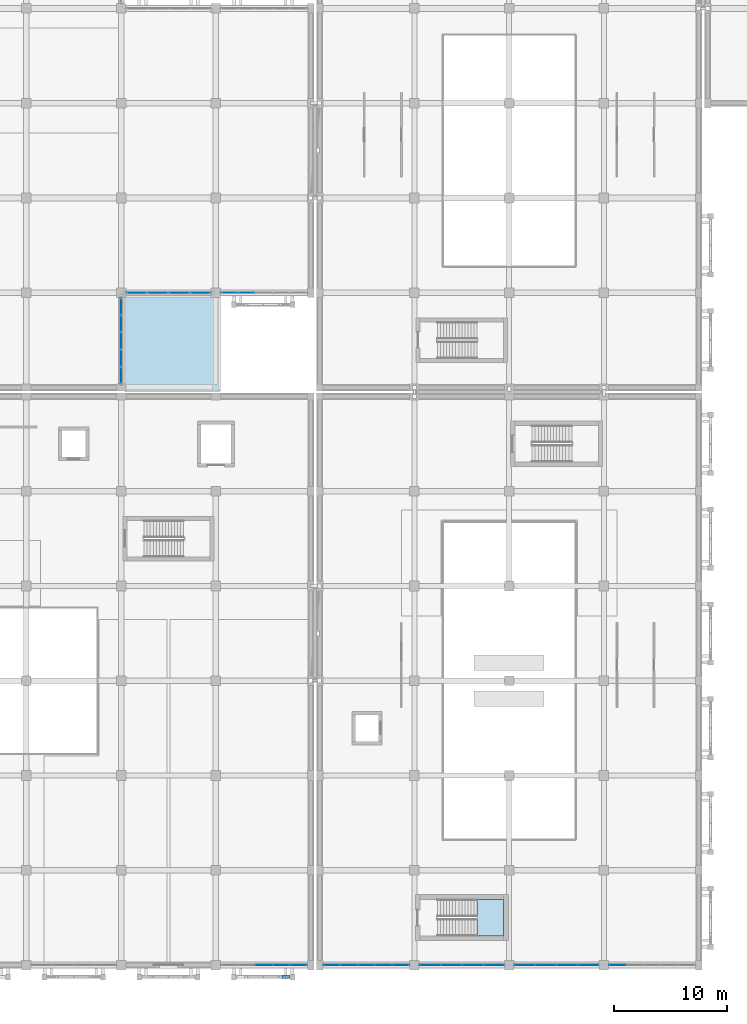
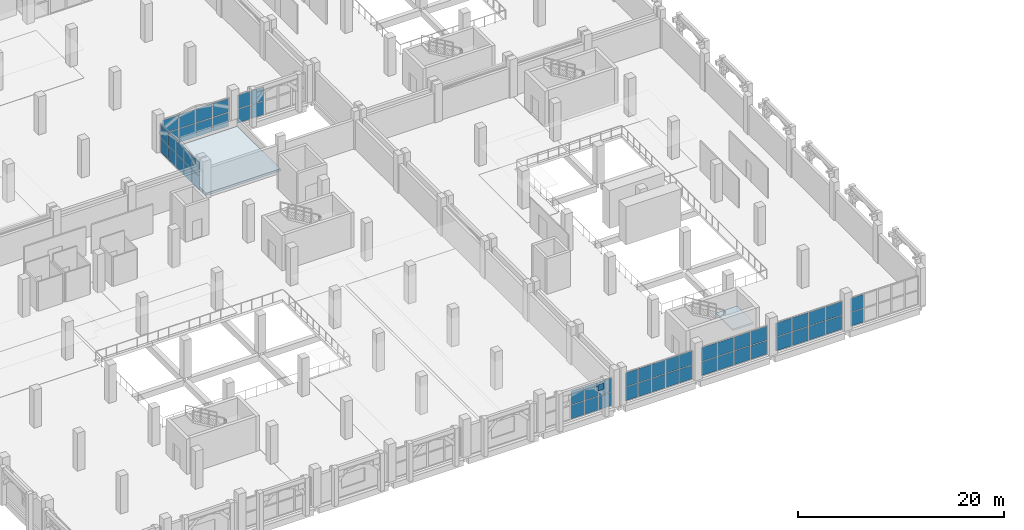
# One storey, part 92 of 137: 57 plates, 2 slabs, 9 elements without a shape of their own.
"""IFC4 building model written with IfcOpenShell, lengths in metres."""

from ifc_helpers import new_model, si_unit, direction, frame, origin, origin_2d, place, context, subcontext, project, spatial, polyline, rectangle, outline, extrude, material, layer, layer_set, type_object, element, aggregate, save


model = new_model("IFC4")

# Units and contexts
model_context = context("Model", 3, precision=1e-05, world=origin(), true_north=direction((0.0, 1.0)))
body_context = subcontext(model_context, "Body", "Model", "MODEL_VIEW")
ifc_project = project(units=[si_unit("LENGTHUNIT", "METRE"), si_unit("AREAUNIT", "SQUARE_METRE"), si_unit("VOLUMEUNIT", "CUBIC_METRE"), si_unit("PLANEANGLEUNIT", "RADIAN"), si_unit("MASSUNIT", "GRAM", prefix="KILO")], contexts=[model_context])

# Site, building, storey
site_placement = place(None, origin())
site = spatial("IfcSite", under=ifc_project, at=site_placement, CompositionType="ELEMENT")
building_placement = place(site_placement, origin())
building = spatial("IfcBuilding", under=site, at=building_placement, Name="Xazarin Passage Department Store", CompositionType="ELEMENT")
storey_placement = place(building_placement, frame((0.0, 0.0, 5.39990234375)))
storey = spatial("IfcBuildingStorey", under=building, at=storey_placement, Name="L01", CompositionType="ELEMENT", Elevation=5.39990234375)

# Curtain wall, plates
ifc_material_1 = material(Name="Bronze anodised aluminium", Category="aluminium")
ifc_layer_1 = layer(ifc_material_1, 0.159912109375)
ifc_layer_set_1 = layer_set([ifc_layer_1], Name="Bronze anodised aluminium")
curtain_wall_type_1 = type_object("IfcCurtainWallType", Name="ARC-CW-ARC1", PredefinedType="NOTDEFINED", material=ifc_layer_set_1)
curtain_wall_1_placement = place(storey_placement, origin())
curtain_wall_1 = element("IfcCurtainWall", 1, at=curtain_wall_1_placement, inside=storey, type_object=curtain_wall_type_1, Name="L01 V2S Curtain Wall 100", PredefinedType="NOTDEFINED")
ifc_material_2 = material(Name="Low-E laminated safety glass", Category="glass")
ifc_layer_2 = layer(ifc_material_2, 0.028076171875)
ifc_layer_set_2 = layer_set([ifc_layer_2], Name="Low-E laminated safety glass")
plate_type_1 = type_object("IfcPlateType", Name="ARC-CWP-GLZ28", PredefinedType="CURTAIN_PANEL", material=ifc_layer_set_2)
plate_1_placement = place(storey_placement, frame((69.083740234375, 0.0, 0.065185546875), z_axis=(0.0, 0.0, 1.0), x_axis=(1.0, 0.0, 0.0)))
plate_1 = element("IfcPlate", 2, at=plate_1_placement, type_object=plate_type_1, Name="CW3 panel 1.1", PredefinedType="CURTAIN_PANEL", context=body_context, shape_type="SweptSolid", body=[
    extrude(rectangle(XDim=1.4375, YDim=0.028076171875, at=origin_2d()), origin(), (0.0, 0.0, 1.0), 1.62744140625),
])
plate_2_placement = place(storey_placement, frame((69.083740234375, 0.0, 1.757568359375), z_axis=(0.0, 0.0, 1.0), x_axis=(1.0, 0.0, 0.0)))
plate_2 = element("IfcPlate", 3, at=plate_2_placement, type_object=plate_type_1, Name="CW3 panel 1.2", PredefinedType="CURTAIN_PANEL", context=body_context, shape_type="SweptSolid", body=[
    extrude(rectangle(XDim=1.4375, YDim=0.028076171875, at=origin_2d()), origin(), (0.0, 0.0, 1.0), 1.62744140625),
])
plate_3_placement = place(storey_placement, frame((70.6025390625, 0.0, 0.065185546875), z_axis=(0.0, 0.0, 1.0), x_axis=(1.0, 0.0, 0.0)))
plate_3 = element("IfcPlate", 4, at=plate_3_placement, type_object=plate_type_1, Name="CW3 panel 2.1", PredefinedType="CURTAIN_PANEL", context=body_context, shape_type="SweptSolid", body=[
    extrude(rectangle(XDim=1.469970703125, YDim=0.028076171875, at=origin_2d()), origin(), (0.0, 0.0, 1.0), 1.62744140625),
])
plate_4_placement = place(storey_placement, frame((70.6025390625, 0.0, 1.757568359375), z_axis=(0.0, 0.0, 1.0), x_axis=(1.0, 0.0, 0.0)))
plate_4 = element("IfcPlate", 5, at=plate_4_placement, type_object=plate_type_1, Name="CW3 panel 2.2", PredefinedType="CURTAIN_PANEL", context=body_context, shape_type="SweptSolid", body=[
    extrude(rectangle(XDim=1.469970703125, YDim=0.028076171875, at=origin_2d()), origin(), (0.0, 0.0, 1.0), 1.62744140625),
])
plate_5_placement = place(storey_placement, frame((72.137451171875, 0.0, 0.065185546875), z_axis=(0.0, 0.0, 1.0), x_axis=(1.0, 0.0, 0.0)))
plate_5 = element("IfcPlate", 6, at=plate_5_placement, type_object=plate_type_1, Name="CW3 panel 3.1", PredefinedType="CURTAIN_PANEL", context=body_context, shape_type="SweptSolid", body=[
    extrude(rectangle(XDim=1.469970703125, YDim=0.028076171875, at=origin_2d()), origin(), (0.0, 0.0, 1.0), 1.62744140625),
])
plate_6_placement = place(storey_placement, frame((72.137451171875, 0.0, 1.757568359375), z_axis=(0.0, 0.0, 1.0), x_axis=(1.0, 0.0, 0.0)))
plate_6 = element("IfcPlate", 7, at=plate_6_placement, type_object=plate_type_1, Name="CW3 panel 3.2", PredefinedType="CURTAIN_PANEL", context=body_context, shape_type="SweptSolid", body=[
    extrude(rectangle(XDim=1.469970703125, YDim=0.028076171875, at=origin_2d()), origin(), (0.0, 0.0, 1.0), 1.62744140625),
])
plate_7_placement = place(storey_placement, frame((73.672607421875, 0.0, 0.065185546875), z_axis=(0.0, 0.0, 1.0), x_axis=(1.0, 0.0, 0.0)))
plate_7 = element("IfcPlate", 8, at=plate_7_placement, type_object=plate_type_1, Name="CW3 panel 4.1", PredefinedType="CURTAIN_PANEL", context=body_context, shape_type="SweptSolid", body=[
    extrude(rectangle(XDim=1.469970703125, YDim=0.028076171875, at=origin_2d()), origin(), (0.0, 0.0, 1.0), 1.62744140625),
])
plate_8_placement = place(storey_placement, frame((73.672607421875, 0.0, 1.757568359375), z_axis=(0.0, 0.0, 1.0), x_axis=(1.0, 0.0, 0.0)))
plate_8 = element("IfcPlate", 9, at=plate_8_placement, type_object=plate_type_1, Name="CW3 panel 4.2", PredefinedType="CURTAIN_PANEL", context=body_context, shape_type="SweptSolid", body=[
    extrude(rectangle(XDim=1.469970703125, YDim=0.028076171875, at=origin_2d()), origin(), (0.0, 0.0, 1.0), 1.62744140625),
])
plate_9_placement = place(storey_placement, frame((75.191162109375, 0.0, 0.065185546875), z_axis=(0.0, 0.0, 1.0), x_axis=(1.0, 0.0, 0.0)))
plate_9 = element("IfcPlate", 10, at=plate_9_placement, type_object=plate_type_1, Name="CW3 panel 5.1", PredefinedType="CURTAIN_PANEL", context=body_context, shape_type="SweptSolid", body=[
    extrude(rectangle(XDim=1.4375, YDim=0.028076171875, at=origin_2d()), origin(), (0.0, 0.0, 1.0), 1.62744140625),
])
plate_10_placement = place(storey_placement, frame((75.191162109375, 0.0, 1.757568359375), z_axis=(0.0, 0.0, 1.0), x_axis=(1.0, 0.0, 0.0)))
plate_10 = element("IfcPlate", 11, at=plate_10_placement, type_object=plate_type_1, Name="CW3 panel 5.2", PredefinedType="CURTAIN_PANEL", context=body_context, shape_type="SweptSolid", body=[
    extrude(rectangle(XDim=1.4375, YDim=0.028076171875, at=origin_2d()), origin(), (0.0, 0.0, 1.0), 1.62744140625),
])
aggregate(curtain_wall_1, [plate_1, plate_2, plate_3, plate_4, plate_5, plate_6, plate_7, plate_8, plate_9, plate_10])

curtain_wall_2_placement = place(storey_placement, origin())
curtain_wall_2 = element("IfcCurtainWall", 12, at=curtain_wall_2_placement, inside=storey, type_object=curtain_wall_type_1, Name="L01 V2S Curtain Wall 101", PredefinedType="NOTDEFINED")
plate_11_placement = place(storey_placement, frame((77.784912109375, 0.0, 0.065185546875), z_axis=(0.0, 0.0, 1.0), x_axis=(1.0, 0.0, 0.0)))
plate_11 = element("IfcPlate", 13, at=plate_11_placement, type_object=plate_type_1, Name="CW3 panel 1.1", PredefinedType="CURTAIN_PANEL", context=body_context, shape_type="SweptSolid", body=[
    extrude(rectangle(XDim=1.7900390625, YDim=0.028076171875, at=origin_2d()), origin(), (0.0, 0.0, 1.0), 1.62744140625),
])
plate_12_placement = place(storey_placement, frame((77.784912109375, 0.0, 1.757568359375), z_axis=(0.0, 0.0, 1.0), x_axis=(1.0, 0.0, 0.0)))
plate_12 = element("IfcPlate", 14, at=plate_12_placement, type_object=plate_type_1, Name="CW3 panel 1.2", PredefinedType="CURTAIN_PANEL", context=body_context, shape_type="SweptSolid", body=[
    extrude(rectangle(XDim=1.7900390625, YDim=0.028076171875, at=origin_2d()), origin(), (0.0, 0.0, 1.0), 1.62744140625),
])
plate_13_placement = place(storey_placement, frame((79.65625, 0.0, 0.065185546875), z_axis=(0.0, 0.0, 1.0), x_axis=(1.0, 0.0, 0.0)))
plate_13 = element("IfcPlate", 15, at=plate_13_placement, type_object=plate_type_1, Name="CW3 panel 2.1", PredefinedType="CURTAIN_PANEL", context=body_context, shape_type="SweptSolid", body=[
    extrude(rectangle(XDim=1.822509765625, YDim=0.028076171875, at=origin_2d()), origin(), (0.0, 0.0, 1.0), 1.62744140625),
])
plate_14_placement = place(storey_placement, frame((79.65625, 0.0, 1.757568359375), z_axis=(0.0, 0.0, 1.0), x_axis=(1.0, 0.0, 0.0)))
plate_14 = element("IfcPlate", 16, at=plate_14_placement, type_object=plate_type_1, Name="CW3 panel 2.2", PredefinedType="CURTAIN_PANEL", context=body_context, shape_type="SweptSolid", body=[
    extrude(rectangle(XDim=1.822509765625, YDim=0.028076171875, at=origin_2d()), origin(), (0.0, 0.0, 1.0), 1.62744140625),
])
plate_15_placement = place(storey_placement, frame((81.543701171875, 0.0, 0.065185546875), z_axis=(0.0, 0.0, 1.0), x_axis=(1.0, 0.0, 0.0)))
plate_15 = element("IfcPlate", 17, at=plate_15_placement, type_object=plate_type_1, Name="CW3 panel 3.1", PredefinedType="CURTAIN_PANEL", context=body_context, shape_type="SweptSolid", body=[
    extrude(rectangle(XDim=1.822509765625, YDim=0.028076171875, at=origin_2d()), origin(), (0.0, 0.0, 1.0), 1.62744140625),
])
plate_16_placement = place(storey_placement, frame((81.543701171875, 0.0, 1.757568359375), z_axis=(0.0, 0.0, 1.0), x_axis=(1.0, 0.0, 0.0)))
plate_16 = element("IfcPlate", 18, at=plate_16_placement, type_object=plate_type_1, Name="CW3 panel 3.2", PredefinedType="CURTAIN_PANEL", context=body_context, shape_type="SweptSolid", body=[
    extrude(rectangle(XDim=1.822509765625, YDim=0.028076171875, at=origin_2d()), origin(), (0.0, 0.0, 1.0), 1.62744140625),
])
plate_17_placement = place(storey_placement, frame((83.4150390625, 0.0, 0.065185546875), z_axis=(0.0, 0.0, 1.0), x_axis=(1.0, 0.0, 0.0)))
plate_17 = element("IfcPlate", 19, at=plate_17_placement, type_object=plate_type_1, Name="CW3 panel 4.1", PredefinedType="CURTAIN_PANEL", context=body_context, shape_type="SweptSolid", body=[
    extrude(rectangle(XDim=1.7900390625, YDim=0.028076171875, at=origin_2d()), origin(), (0.0, 0.0, 1.0), 1.62744140625),
])
plate_18_placement = place(storey_placement, frame((83.4150390625, 0.0, 1.757568359375), z_axis=(0.0, 0.0, 1.0), x_axis=(1.0, 0.0, 0.0)))
plate_18 = element("IfcPlate", 20, at=plate_18_placement, type_object=plate_type_1, Name="CW3 panel 4.2", PredefinedType="CURTAIN_PANEL", context=body_context, shape_type="SweptSolid", body=[
    extrude(rectangle(XDim=1.7900390625, YDim=0.028076171875, at=origin_2d()), origin(), (0.0, 0.0, 1.0), 1.62744140625),
])
aggregate(curtain_wall_2, [plate_11, plate_12, plate_13, plate_14, plate_15, plate_16, plate_17, plate_18])

curtain_wall_3_placement = place(storey_placement, origin())
curtain_wall_3 = element("IfcCurtainWall", 21, at=curtain_wall_3_placement, inside=storey, type_object=curtain_wall_type_1, Name="L01 V2S Curtain Wall 102", PredefinedType="NOTDEFINED")
plate_19_placement = place(storey_placement, frame((86.18505859375, 0.0, 0.065185546875), z_axis=(0.0, 0.0, 1.0), x_axis=(1.0, 0.0, 0.0)))
plate_19 = element("IfcPlate", 22, at=plate_19_placement, type_object=plate_type_1, Name="CW3 panel 1.1", PredefinedType="CURTAIN_PANEL", context=body_context, shape_type="SweptSolid", body=[
    extrude(rectangle(XDim=1.7900390625, YDim=0.028076171875, at=origin_2d()), origin(), (0.0, 0.0, 1.0), 1.62744140625),
])
plate_20_placement = place(storey_placement, frame((86.18505859375, 0.0, 1.757568359375), z_axis=(0.0, 0.0, 1.0), x_axis=(1.0, 0.0, 0.0)))
plate_20 = element("IfcPlate", 23, at=plate_20_placement, type_object=plate_type_1, Name="CW3 panel 1.2", PredefinedType="CURTAIN_PANEL", context=body_context, shape_type="SweptSolid", body=[
    extrude(rectangle(XDim=1.7900390625, YDim=0.028076171875, at=origin_2d()), origin(), (0.0, 0.0, 1.0), 1.62744140625),
])
plate_21_placement = place(storey_placement, frame((88.05615234375, 0.0, 0.065185546875), z_axis=(0.0, 0.0, 1.0), x_axis=(1.0, 0.0, 0.0)))
plate_21 = element("IfcPlate", 24, at=plate_21_placement, type_object=plate_type_1, Name="CW3 panel 2.1", PredefinedType="CURTAIN_PANEL", context=body_context, shape_type="SweptSolid", body=[
    extrude(rectangle(XDim=1.822509765625, YDim=0.028076171875, at=origin_2d()), origin(), (0.0, 0.0, 1.0), 1.62744140625),
])
plate_22_placement = place(storey_placement, frame((88.05615234375, 0.0, 1.757568359375), z_axis=(0.0, 0.0, 1.0), x_axis=(1.0, 0.0, 0.0)))
plate_22 = element("IfcPlate", 25, at=plate_22_placement, type_object=plate_type_1, Name="CW3 panel 2.2", PredefinedType="CURTAIN_PANEL", context=body_context, shape_type="SweptSolid", body=[
    extrude(rectangle(XDim=1.822509765625, YDim=0.028076171875, at=origin_2d()), origin(), (0.0, 0.0, 1.0), 1.62744140625),
])
plate_23_placement = place(storey_placement, frame((89.94384765625, 0.0, 0.065185546875), z_axis=(0.0, 0.0, 1.0), x_axis=(1.0, 0.0, 0.0)))
plate_23 = element("IfcPlate", 26, at=plate_23_placement, type_object=plate_type_1, Name="CW3 panel 3.1", PredefinedType="CURTAIN_PANEL", context=body_context, shape_type="SweptSolid", body=[
    extrude(rectangle(XDim=1.822509765625, YDim=0.028076171875, at=origin_2d()), origin(), (0.0, 0.0, 1.0), 1.62744140625),
])
plate_24_placement = place(storey_placement, frame((89.94384765625, 0.0, 1.757568359375), z_axis=(0.0, 0.0, 1.0), x_axis=(1.0, 0.0, 0.0)))
plate_24 = element("IfcPlate", 27, at=plate_24_placement, type_object=plate_type_1, Name="CW3 panel 3.2", PredefinedType="CURTAIN_PANEL", context=body_context, shape_type="SweptSolid", body=[
    extrude(rectangle(XDim=1.822509765625, YDim=0.028076171875, at=origin_2d()), origin(), (0.0, 0.0, 1.0), 1.62744140625),
])
plate_25_placement = place(storey_placement, frame((91.81494140625, 0.0, 0.065185546875), z_axis=(0.0, 0.0, 1.0), x_axis=(1.0, 0.0, 0.0)))
plate_25 = element("IfcPlate", 28, at=plate_25_placement, type_object=plate_type_1, Name="CW3 panel 4.1", PredefinedType="CURTAIN_PANEL", context=body_context, shape_type="SweptSolid", body=[
    extrude(rectangle(XDim=1.7900390625, YDim=0.028076171875, at=origin_2d()), origin(), (0.0, 0.0, 1.0), 1.62744140625),
])
plate_26_placement = place(storey_placement, frame((91.81494140625, 0.0, 1.757568359375), z_axis=(0.0, 0.0, 1.0), x_axis=(1.0, 0.0, 0.0)))
plate_26 = element("IfcPlate", 29, at=plate_26_placement, type_object=plate_type_1, Name="CW3 panel 4.2", PredefinedType="CURTAIN_PANEL", context=body_context, shape_type="SweptSolid", body=[
    extrude(rectangle(XDim=1.7900390625, YDim=0.028076171875, at=origin_2d()), origin(), (0.0, 0.0, 1.0), 1.62744140625),
])
aggregate(curtain_wall_3, [plate_19, plate_20, plate_21, plate_22, plate_23, plate_24, plate_25, plate_26])

curtain_wall_4_placement = place(storey_placement, origin())
curtain_wall_4 = element("IfcCurtainWall", 30, at=curtain_wall_4_placement, inside=storey, type_object=curtain_wall_type_1, Name="L01 V2S Curtain Wall 103", PredefinedType="NOTDEFINED")
plate_27_placement = place(storey_placement, frame((94.40869140625, 0.0, 0.065185546875), z_axis=(0.0, 0.0, 1.0), x_axis=(1.0, 0.0, 0.0)))
plate_27 = element("IfcPlate", 31, at=plate_27_placement, type_object=plate_type_1, Name="CW3 panel 1.1", PredefinedType="CURTAIN_PANEL", context=body_context, shape_type="SweptSolid", body=[
    extrude(rectangle(XDim=1.4375, YDim=0.028076171875, at=origin_2d()), origin(), (0.0, 0.0, 1.0), 1.62744140625),
])
plate_28_placement = place(storey_placement, frame((94.40869140625, 0.0, 1.757568359375), z_axis=(0.0, 0.0, 1.0), x_axis=(1.0, 0.0, 0.0)))
plate_28 = element("IfcPlate", 32, at=plate_28_placement, type_object=plate_type_1, Name="CW3 panel 1.2", PredefinedType="CURTAIN_PANEL", context=body_context, shape_type="SweptSolid", body=[
    extrude(rectangle(XDim=1.4375, YDim=0.028076171875, at=origin_2d()), origin(), (0.0, 0.0, 1.0), 1.62744140625),
])
aggregate(curtain_wall_4, [plate_27, plate_28])

ifc_layer_3 = layer(ifc_material_1, 0.18994140625)
ifc_layer_set_3 = layer_set([ifc_layer_3], Name="Bronze anodised aluminium")
curtain_wall_type_2 = type_object("IfcCurtainWallType", Name="ARC-CW-FDH1", PredefinedType="NOTDEFINED", material=ifc_layer_set_3)
curtain_wall_5_placement = place(storey_placement, origin())
curtain_wall_5 = element("IfcCurtainWall", 33, at=curtain_wall_5_placement, inside=storey, type_object=curtain_wall_type_2, Name="L01 V3 Curtain Wall 126", PredefinedType="NOTDEFINED")
plate_29_placement = place(storey_placement, frame((63.0625, 0.0, 0.06494140625), z_axis=(0.0, 0.0, 1.0), x_axis=(1.0, 0.0, 0.0)))
plate_29 = element("IfcPlate", 34, at=plate_29_placement, type_object=plate_type_1, Name="CW5 panel 3.1", PredefinedType="CURTAIN_PANEL", context=body_context, shape_type="SweptSolid", body=[
    extrude(rectangle(XDim=1.469970703125, YDim=0.028076171875, at=origin_2d()), origin(), (0.0, 0.0, 1.0), 1.617431640625),
])
plate_30_placement = place(storey_placement, frame((63.0625, 0.0, 1.74755859375), z_axis=(0.0, 0.0, 1.0), x_axis=(1.0, 0.0, 0.0)))
plate_30 = element("IfcPlate", 35, at=plate_30_placement, type_object=plate_type_1, Name="CW5 panel 3.2", PredefinedType="CURTAIN_PANEL", context=body_context, shape_type="SweptSolid", body=[
    extrude(rectangle(XDim=1.469970703125, YDim=0.028076171875, at=origin_2d()), origin(), (0.0, 0.0, 1.0), 1.617431640625),
])
plate_31_placement = place(storey_placement, frame((64.597412109375, 0.0, 0.06494140625), z_axis=(0.0, 0.0, 1.0), x_axis=(1.0, 0.0, 0.0)))
plate_31 = element("IfcPlate", 36, at=plate_31_placement, type_object=plate_type_1, Name="CW5 panel 4.1", PredefinedType="CURTAIN_PANEL", context=body_context, shape_type="SweptSolid", body=[
    extrude(rectangle(XDim=1.469970703125, YDim=0.028076171875, at=origin_2d()), origin(), (0.0, 0.0, 1.0), 1.617431640625),
])
plate_32_placement = place(storey_placement, frame((64.597412109375, 0.0, 1.74755859375), z_axis=(0.0, 0.0, 1.0), x_axis=(1.0, 0.0, 0.0)))
plate_32 = element("IfcPlate", 37, at=plate_32_placement, type_object=plate_type_1, Name="CW5 panel 4.2", PredefinedType="CURTAIN_PANEL", context=body_context, shape_type="SweptSolid", body=[
    extrude(rectangle(XDim=1.469970703125, YDim=0.028076171875, at=origin_2d()), origin(), (0.0, 0.0, 1.0), 1.617431640625),
])
plate_33_placement = place(storey_placement, frame((66.1162109375, 0.0, 0.06494140625), z_axis=(0.0, 0.0, 1.0), x_axis=(1.0, 0.0, 0.0)))
plate_33 = element("IfcPlate", 38, at=plate_33_placement, type_object=plate_type_1, Name="CW5 panel 5.1", PredefinedType="CURTAIN_PANEL", context=body_context, shape_type="SweptSolid", body=[
    extrude(rectangle(XDim=1.4375, YDim=0.028076171875, at=origin_2d()), origin(), (0.0, 0.0, 1.0), 1.617431640625),
])
plate_34_placement = place(storey_placement, frame((66.1162109375, 0.0, 1.74755859375), z_axis=(0.0, 0.0, 1.0), x_axis=(1.0, 0.0, 0.0)))
plate_34 = element("IfcPlate", 39, at=plate_34_placement, type_object=plate_type_1, Name="CW5 panel 5.2", PredefinedType="CURTAIN_PANEL", context=body_context, shape_type="SweptSolid", body=[
    extrude(rectangle(XDim=1.4375, YDim=0.028076171875, at=origin_2d()), origin(), (0.0, 0.0, 1.0), 1.617431640625),
])
aggregate(curtain_wall_5, [plate_29, plate_30, plate_31, plate_32, plate_33, plate_34])

ifc_layer_4 = layer(ifc_material_1, 0.179931640625)
ifc_layer_set_4 = layer_set([ifc_layer_4], Name="Bronze anodised aluminium")
curtain_wall_type_3 = type_object("IfcCurtainWallType", Name="ARC-CW-VIT1", PredefinedType="NOTDEFINED", material=ifc_layer_set_4)
curtain_wall_6_placement = place(storey_placement, origin())
curtain_wall_6 = element("IfcCurtainWall", 40, at=curtain_wall_6_placement, inside=storey, type_object=curtain_wall_type_3, Name="L01 V1 Curtain Wall 008", PredefinedType="NOTDEFINED")
ifc_layer_5 = layer(ifc_material_2, 0.031982421875)
ifc_layer_set_5 = layer_set([ifc_layer_5], Name="Low-E laminated safety glass")
plate_type_2 = type_object("IfcPlateType", Name="ARC-CWP-GLZ32", PredefinedType="CURTAIN_PANEL", material=ifc_layer_set_5)
plate_35_placement = place(storey_placement, frame((51.78759765625, 59.60009765625, 0.0751953125), z_axis=(0.0, 0.0, 1.0), x_axis=(1.0, 0.0, 0.0)))
plate_35 = element("IfcPlate", 41, at=plate_35_placement, type_object=plate_type_2, Name="CW1 panel 1.1", PredefinedType="CURTAIN_PANEL", context=body_context, shape_type="SweptSolid", body=[
    extrude(rectangle(XDim=1.77490234375, YDim=0.031982421875, at=origin_2d()), origin(), (0.0, 0.0, 1.0), 1.612548828125),
])
plate_36_placement = place(storey_placement, frame((51.78759765625, 59.60009765625, 1.7626953125), z_axis=(0.0, 0.0, 1.0), x_axis=(1.0, 0.0, 0.0)))
plate_36 = element("IfcPlate", 42, at=plate_36_placement, type_object=plate_type_2, Name="CW1 panel 1.2", PredefinedType="CURTAIN_PANEL", context=body_context, shape_type="SweptSolid", body=[
    extrude(rectangle(XDim=1.77490234375, YDim=0.031982421875, at=origin_2d()), origin(), (0.0, 0.0, 1.0), 1.612548828125),
])
plate_37_placement = place(storey_placement, frame((53.65625, 59.60009765625, 0.0751953125), z_axis=(0.0, 0.0, 1.0), x_axis=(1.0, 0.0, 0.0)))
plate_37 = element("IfcPlate", 43, at=plate_37_placement, type_object=plate_type_2, Name="CW1 panel 2.1", PredefinedType="CURTAIN_PANEL", context=body_context, shape_type="SweptSolid", body=[
    extrude(rectangle(XDim=1.8125, YDim=0.031982421875, at=origin_2d()), origin(), (0.0, 0.0, 1.0), 1.612548828125),
])
plate_38_placement = place(storey_placement, frame((53.65625, 59.60009765625, 1.7626953125), z_axis=(0.0, 0.0, 1.0), x_axis=(1.0, 0.0, 0.0)))
plate_38 = element("IfcPlate", 44, at=plate_38_placement, type_object=plate_type_2, Name="CW1 panel 2.2", PredefinedType="CURTAIN_PANEL", context=body_context, shape_type="SweptSolid", body=[
    extrude(rectangle(XDim=1.8125, YDim=0.031982421875, at=origin_2d()), origin(), (0.0, 0.0, 1.0), 1.612548828125),
])
plate_39_placement = place(storey_placement, frame((55.543701171875, 59.60009765625, 0.0751953125), z_axis=(0.0, 0.0, 1.0), x_axis=(1.0, 0.0, 0.0)))
plate_39 = element("IfcPlate", 45, at=plate_39_placement, type_object=plate_type_2, Name="CW1 panel 3.1", PredefinedType="CURTAIN_PANEL", context=body_context, shape_type="SweptSolid", body=[
    extrude(rectangle(XDim=1.8125, YDim=0.031982421875, at=origin_2d()), origin(), (0.0, 0.0, 1.0), 1.612548828125),
])
plate_40_placement = place(storey_placement, frame((55.543701171875, 59.60009765625, 1.7626953125), z_axis=(0.0, 0.0, 1.0), x_axis=(1.0, 0.0, 0.0)))
plate_40 = element("IfcPlate", 46, at=plate_40_placement, type_object=plate_type_2, Name="CW1 panel 3.2", PredefinedType="CURTAIN_PANEL", context=body_context, shape_type="SweptSolid", body=[
    extrude(rectangle(XDim=1.8125, YDim=0.031982421875, at=origin_2d()), origin(), (0.0, 0.0, 1.0), 1.612548828125),
])
plate_41_placement = place(storey_placement, frame((57.41259765625, 59.60009765625, 0.0751953125), z_axis=(0.0, 0.0, 1.0), x_axis=(1.0, 0.0, 0.0)))
plate_41 = element("IfcPlate", 47, at=plate_41_placement, type_object=plate_type_2, Name="CW1 panel 4.1", PredefinedType="CURTAIN_PANEL", context=body_context, shape_type="SweptSolid", body=[
    extrude(rectangle(XDim=1.77490234375, YDim=0.031982421875, at=origin_2d()), origin(), (0.0, 0.0, 1.0), 1.612548828125),
])
plate_42_placement = place(storey_placement, frame((57.41259765625, 59.60009765625, 1.7626953125), z_axis=(0.0, 0.0, 1.0), x_axis=(1.0, 0.0, 0.0)))
plate_42 = element("IfcPlate", 48, at=plate_42_placement, type_object=plate_type_2, Name="CW1 panel 4.2", PredefinedType="CURTAIN_PANEL", context=body_context, shape_type="SweptSolid", body=[
    extrude(rectangle(XDim=1.77490234375, YDim=0.031982421875, at=origin_2d()), origin(), (0.0, 0.0, 1.0), 1.612548828125),
])
aggregate(curtain_wall_6, [plate_35, plate_36, plate_37, plate_38, plate_39, plate_40, plate_41, plate_42])

curtain_wall_7_placement = place(storey_placement, origin())
curtain_wall_7 = element("IfcCurtainWall", 49, at=curtain_wall_7_placement, inside=storey, type_object=curtain_wall_type_3, Name="L01 V1 Curtain Wall 009", PredefinedType="NOTDEFINED")
plate_43_placement = place(storey_placement, frame((60.01123046875, 59.60009765625, 0.0751953125), z_axis=(0.0, 0.0, 1.0), x_axis=(1.0, 0.0, 0.0)))
plate_43 = element("IfcPlate", 50, at=plate_43_placement, type_object=plate_type_2, Name="CW1 panel 1.1", PredefinedType="CURTAIN_PANEL", context=body_context, shape_type="SweptSolid", body=[
    extrude(rectangle(XDim=1.422607421875, YDim=0.031982421875, at=origin_2d()), origin(), (0.0, 0.0, 1.0), 1.612548828125),
])
plate_44_placement = place(storey_placement, frame((60.01123046875, 59.60009765625, 1.7626953125), z_axis=(0.0, 0.0, 1.0), x_axis=(1.0, 0.0, 0.0)))
plate_44 = element("IfcPlate", 51, at=plate_44_placement, type_object=plate_type_2, Name="CW1 panel 1.2", PredefinedType="CURTAIN_PANEL", context=body_context, shape_type="SweptSolid", body=[
    extrude(rectangle(XDim=1.422607421875, YDim=0.031982421875, at=origin_2d()), origin(), (0.0, 0.0, 1.0), 1.612548828125),
])
plate_45_placement = place(storey_placement, frame((61.527587890625, 59.60009765625, 0.0751953125), z_axis=(0.0, 0.0, 1.0), x_axis=(1.0, 0.0, 0.0)))
plate_45 = element("IfcPlate", 52, at=plate_45_placement, type_object=plate_type_2, Name="CW1 panel 2.1", PredefinedType="CURTAIN_PANEL", context=body_context, shape_type="SweptSolid", body=[
    extrude(rectangle(XDim=1.4599609375, YDim=0.031982421875, at=origin_2d()), origin(), (0.0, 0.0, 1.0), 1.612548828125),
])
plate_46_placement = place(storey_placement, frame((61.527587890625, 59.60009765625, 1.7626953125), z_axis=(0.0, 0.0, 1.0), x_axis=(1.0, 0.0, 0.0)))
plate_46 = element("IfcPlate", 53, at=plate_46_placement, type_object=plate_type_2, Name="CW1 panel 2.2", PredefinedType="CURTAIN_PANEL", context=body_context, shape_type="SweptSolid", body=[
    extrude(rectangle(XDim=1.4599609375, YDim=0.031982421875, at=origin_2d()), origin(), (0.0, 0.0, 1.0), 1.612548828125),
])
aggregate(curtain_wall_7, [plate_43, plate_44, plate_45, plate_46])

curtain_wall_8_placement = place(storey_placement, origin())
curtain_wall_8 = element("IfcCurtainWall", 54, at=curtain_wall_8_placement, inside=storey, type_object=curtain_wall_type_3, Name="L01 V1 Curtain Wall 025", PredefinedType="NOTDEFINED")
plate_47_placement = place(storey_placement, frame((50.39990234375, 52.2861328125, 0.0751953125), z_axis=(0.0, 0.0, 1.0), x_axis=(0.0, 1.0, 0.0)))
plate_47 = element("IfcPlate", 55, at=plate_47_placement, type_object=plate_type_2, Name="CW1 panel 1.1", PredefinedType="CURTAIN_PANEL", context=body_context, shape_type="SweptSolid", body=[
    extrude(rectangle(XDim=1.422607421875, YDim=0.031982421875, at=origin_2d()), origin(), (0.0, 0.0, 1.0), 1.612548828125),
])
plate_48_placement = place(storey_placement, frame((50.39990234375, 52.2861328125, 1.7626953125), z_axis=(0.0, 0.0, 1.0), x_axis=(0.0, 1.0, 0.0)))
plate_48 = element("IfcPlate", 56, at=plate_48_placement, type_object=plate_type_2, Name="CW1 panel 1.2", PredefinedType="CURTAIN_PANEL", context=body_context, shape_type="SweptSolid", body=[
    extrude(rectangle(XDim=1.422607421875, YDim=0.031982421875, at=origin_2d()), origin(), (0.0, 0.0, 1.0), 1.612548828125),
])
plate_49_placement = place(storey_placement, frame((50.39990234375, 53.802490234375, 0.0751953125), z_axis=(0.0, 0.0, 1.0), x_axis=(0.0, 1.0, 0.0)))
plate_49 = element("IfcPlate", 57, at=plate_49_placement, type_object=plate_type_2, Name="CW1 panel 2.1", PredefinedType="CURTAIN_PANEL", context=body_context, shape_type="SweptSolid", body=[
    extrude(rectangle(XDim=1.4599609375, YDim=0.031982421875, at=origin_2d()), origin(), (0.0, 0.0, 1.0), 1.612548828125),
])
plate_50_placement = place(storey_placement, frame((50.39990234375, 53.802490234375, 1.7626953125), z_axis=(0.0, 0.0, 1.0), x_axis=(0.0, 1.0, 0.0)))
plate_50 = element("IfcPlate", 58, at=plate_50_placement, type_object=plate_type_2, Name="CW1 panel 2.2", PredefinedType="CURTAIN_PANEL", context=body_context, shape_type="SweptSolid", body=[
    extrude(rectangle(XDim=1.4599609375, YDim=0.031982421875, at=origin_2d()), origin(), (0.0, 0.0, 1.0), 1.612548828125),
])
plate_51_placement = place(storey_placement, frame((50.39990234375, 55.33740234375, 0.0751953125), z_axis=(0.0, 0.0, 1.0), x_axis=(0.0, 1.0, 0.0)))
plate_51 = element("IfcPlate", 59, at=plate_51_placement, type_object=plate_type_2, Name="CW1 panel 3.1", PredefinedType="CURTAIN_PANEL", context=body_context, shape_type="SweptSolid", body=[
    extrude(rectangle(XDim=1.4599609375, YDim=0.031982421875, at=origin_2d()), origin(), (0.0, 0.0, 1.0), 1.612548828125),
])
plate_52_placement = place(storey_placement, frame((50.39990234375, 55.33740234375, 1.7626953125), z_axis=(0.0, 0.0, 1.0), x_axis=(0.0, 1.0, 0.0)))
plate_52 = element("IfcPlate", 60, at=plate_52_placement, type_object=plate_type_2, Name="CW1 panel 3.2", PredefinedType="CURTAIN_PANEL", context=body_context, shape_type="SweptSolid", body=[
    extrude(rectangle(XDim=1.4599609375, YDim=0.031982421875, at=origin_2d()), origin(), (0.0, 0.0, 1.0), 1.612548828125),
])
plate_53_placement = place(storey_placement, frame((50.39990234375, 56.87255859375, 0.0751953125), z_axis=(0.0, 0.0, 1.0), x_axis=(0.0, 1.0, 0.0)))
plate_53 = element("IfcPlate", 61, at=plate_53_placement, type_object=plate_type_2, Name="CW1 panel 4.1", PredefinedType="CURTAIN_PANEL", context=body_context, shape_type="SweptSolid", body=[
    extrude(rectangle(XDim=1.4599609375, YDim=0.031982421875, at=origin_2d()), origin(), (0.0, 0.0, 1.0), 1.612548828125),
])
plate_54_placement = place(storey_placement, frame((50.39990234375, 56.87255859375, 1.7626953125), z_axis=(0.0, 0.0, 1.0), x_axis=(0.0, 1.0, 0.0)))
plate_54 = element("IfcPlate", 62, at=plate_54_placement, type_object=plate_type_2, Name="CW1 panel 4.2", PredefinedType="CURTAIN_PANEL", context=body_context, shape_type="SweptSolid", body=[
    extrude(rectangle(XDim=1.4599609375, YDim=0.031982421875, at=origin_2d()), origin(), (0.0, 0.0, 1.0), 1.612548828125),
])
plate_55_placement = place(storey_placement, frame((50.39990234375, 58.388671875, 0.0751953125), z_axis=(0.0, 0.0, 1.0), x_axis=(0.0, 1.0, 0.0)))
plate_55 = element("IfcPlate", 63, at=plate_55_placement, type_object=plate_type_2, Name="CW1 panel 5.1", PredefinedType="CURTAIN_PANEL", context=body_context, shape_type="SweptSolid", body=[
    extrude(rectangle(XDim=1.422607421875, YDim=0.031982421875, at=origin_2d()), origin(), (0.0, 0.0, 1.0), 1.612548828125),
])
plate_56_placement = place(storey_placement, frame((50.39990234375, 58.388671875, 1.7626953125), z_axis=(0.0, 0.0, 1.0), x_axis=(0.0, 1.0, 0.0)))
plate_56 = element("IfcPlate", 64, at=plate_56_placement, type_object=plate_type_2, Name="CW1 panel 5.2", PredefinedType="CURTAIN_PANEL", context=body_context, shape_type="SweptSolid", body=[
    extrude(rectangle(XDim=1.422607421875, YDim=0.031982421875, at=origin_2d()), origin(), (0.0, 0.0, 1.0), 1.612548828125),
])
aggregate(curtain_wall_8, [plate_47, plate_48, plate_49, plate_50, plate_51, plate_52, plate_53, plate_54, plate_55, plate_56])

# Plate
ifc_material_3 = material(Name="Precast concrete C40/50", Category="concrete")
ifc_layer_6 = layer(ifc_material_3, 0.239990234375)
ifc_layer_set_6 = layer_set([ifc_layer_6], Name="Precast concrete C40/50")
plate_type_3 = type_object("IfcPlateType", Name="ARC-PLT-SCR-17", PredefinedType="USERDEFINED", material=ifc_layer_set_6)
plate_57_placement = place(storey_placement, frame((65.0, -1.050048828125, 3.26025390625), z_axis=(0.0, 0.0, 1.0), x_axis=(1.0, 0.0, 0.0)))
element("IfcPlate", 65, at=plate_57_placement, inside=storey, type_object=plate_type_3, Name="L01 V3 Arch Spandrel Tympanum 0258", ObjectType="SCREEN PANEL", PredefinedType="USERDEFINED", context=body_context, shape_type="SweptSolid", body=[
    extrude(rectangle(XDim=0.679931640625, YDim=0.239990234375, at=origin_2d()), origin(), (0.0, 0.0, 1.0), 0.719970703125),
])

# Stair, slab
ifc_material_4 = material(Name="Concrete C35/45", Category="concrete")
stair_type = type_object("IfcStairType", Name="ARC-ST-TYP", PredefinedType="HALF_TURN_STAIR", material=ifc_material_4)
stair_placement = place(storey_placement, origin())
stair = element("IfcStair", 66, at=stair_placement, inside=storey, type_object=stair_type, Name="L01 Exit Stair ST4", PredefinedType="HALF_TURN_STAIR")
ifc_layer_7 = layer(ifc_material_4, 0.199951171875)
ifc_layer_set_7 = layer_set([ifc_layer_7], Name="Concrete C35/45")
slab_type_1 = type_object("IfcSlabType", Name="STR-SLB-LND200", PredefinedType="LANDING", material=ifc_layer_set_7)
slab_1_placement = place(storey_placement, frame((0.0, 0.0, 2.050048828125)))
slab_1 = element("IfcSlab", 67, at=slab_1_placement, type_object=slab_type_1, Name="ST4 landing 1", PredefinedType="LANDING", context=body_context, shape_type="SweptSolid", body=[
    extrude(outline(polyline([(81.949951171875, 2.580078125), (84.300048828125, 2.580078125), (84.300048828125, 5.820068359375), (81.949951171875, 5.820068359375), (81.949951171875, 2.580078125)])), origin(), (0.0, 0.0, 1.0), 0.199951171875),
])
aggregate(stair, [slab_1])

# Slab
ifc_layer_8 = layer(ifc_material_4, 0.260009765625)
ifc_layer_set_8 = layer_set([ifc_layer_8], Name="Concrete C35/45")
slab_type_2 = type_object("IfcSlabType", Name="STR-SLB-RF260", PredefinedType="ROOF", material=ifc_layer_set_8)
slab_2_placement = place(storey_placement, frame((0.0, 0.0, -0.260009765625)))
element("IfcSlab", 68, at=slab_2_placement, inside=storey, type_object=slab_type_2, Name="L01 V1 Setback Roof Slab 1", PredefinedType="ROOF", context=body_context, shape_type="SweptSolid", body=[
    extrude(outline(polyline([(59.10009765625, 59.25), (50.75, 59.25), (50.75, 50.89990234375), (59.10009765625, 50.89990234375), (59.10009765625, 59.25)])), origin(), (0.0, 0.0, 1.0), 0.260009765625),
])

save(model, "model.ifc")
